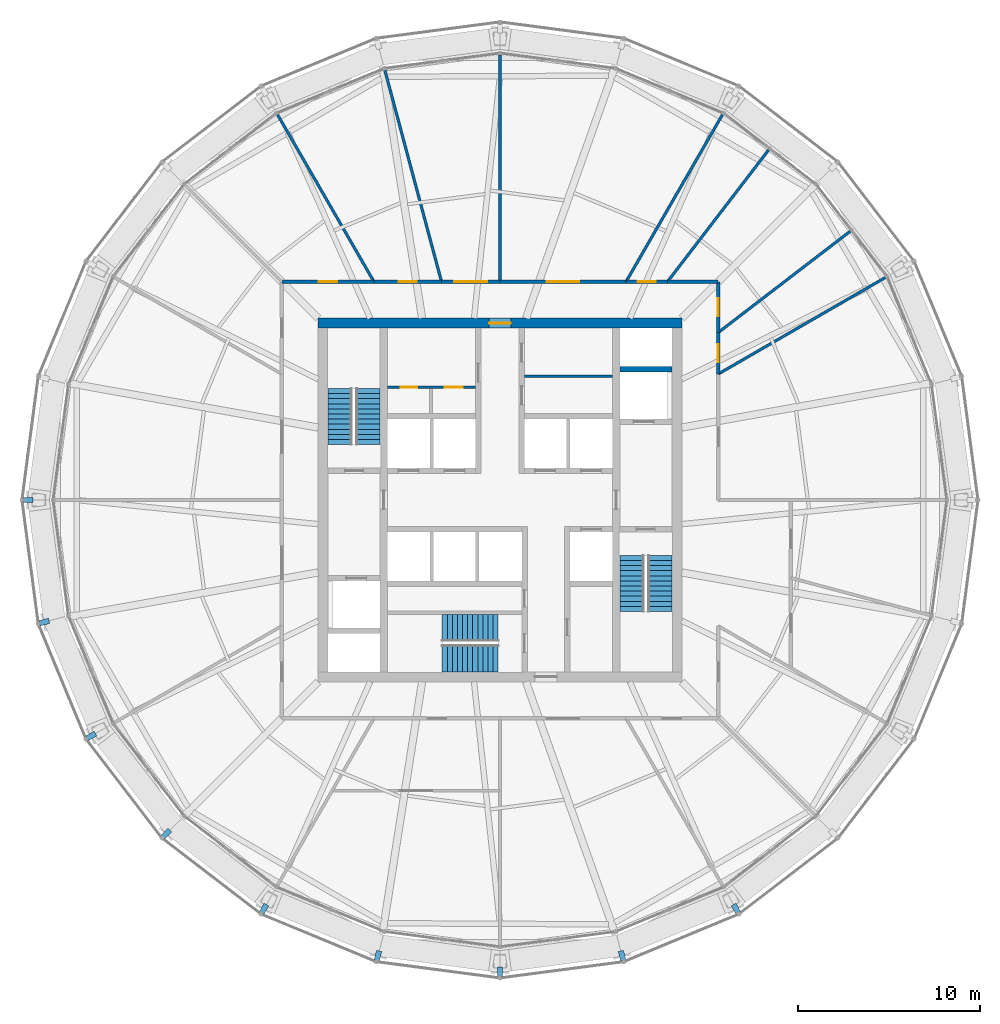
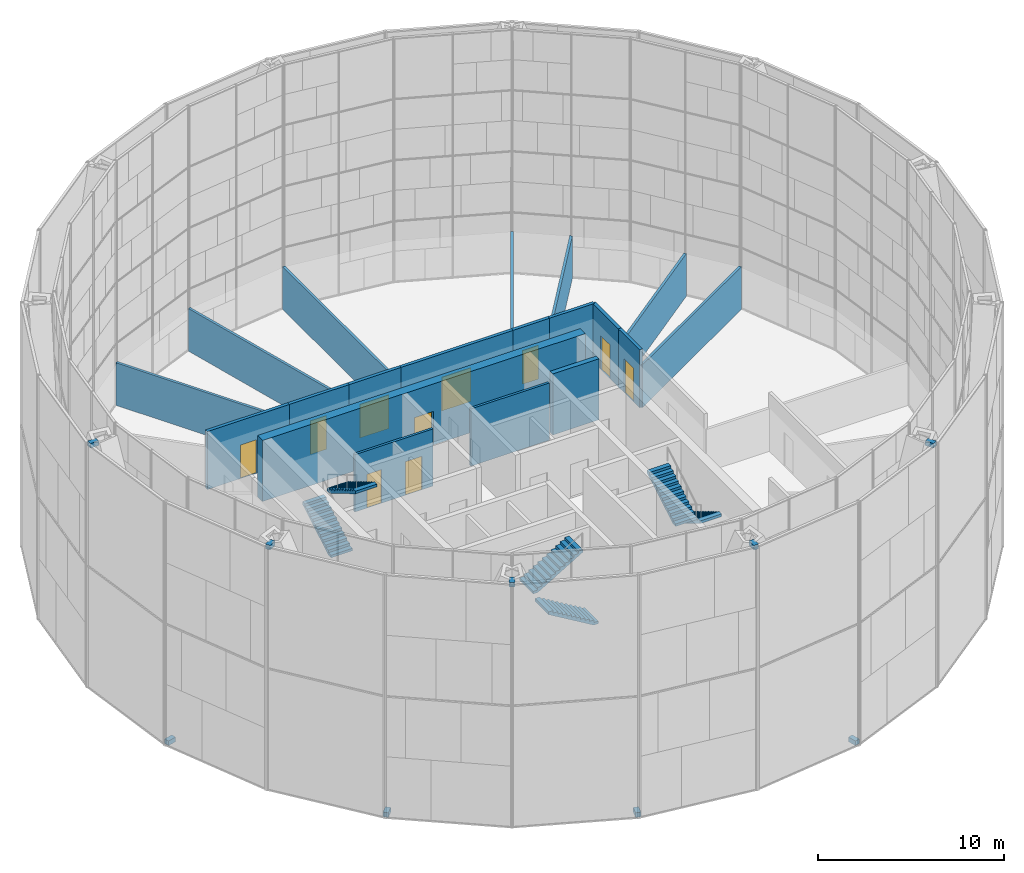
# One storey, part 28 of 30: 19 walls, 10 doors, 9 discrete accessories, 6 stair flights, 10 openings, 3 elements without a shape of their own.
"""IFC4 building model written with IfcOpenShell, lengths in metres."""

from ifc_helpers import new_model, si_unit, direction, frame, frame_2d, origin, origin_2d, place, context, subcontext, project, spatial, polyline, rectangle, outline, extrude, material, layer, layer_set, type_object, element, fill, aggregate, save


model = new_model("IFC4")

# Units and contexts
model_context = context("Model", 3, precision=1e-05, world=origin(), true_north=direction((0.0, 1.0)))
body_context = subcontext(model_context, "Body", "Model", "MODEL_VIEW")
ifc_project = project(units=[si_unit("LENGTHUNIT", "METRE"), si_unit("AREAUNIT", "SQUARE_METRE"), si_unit("VOLUMEUNIT", "CUBIC_METRE"), si_unit("PLANEANGLEUNIT", "RADIAN"), si_unit("MASSUNIT", "GRAM", prefix="KILO")], contexts=[model_context])

# Site, building, storey
site_placement = place(None, origin())
site = spatial("IfcSite", under=ifc_project, at=site_placement, CompositionType="ELEMENT")
building_placement = place(site_placement, origin())
building = spatial("IfcBuilding", under=site, at=building_placement, Name="Golbaran Civic Tower", CompositionType="ELEMENT")
storey_placement = place(building_placement, frame((0.0, 0.0, 102.0)))
storey = spatial("IfcBuildingStorey", under=building, at=storey_placement, Name="L24", CompositionType="ELEMENT", Elevation=102.0)

# Wall
ifc_material_1 = material(Name="Concrete block", Category="concrete")
ifc_layer_1 = layer(ifc_material_1, 0.14990234375, Name="Concrete block")
ifc_layer_set_1 = layer_set([ifc_layer_1], Name="Concrete block")
wall_type_1 = type_object("IfcWallType", Name="BLOCKWORK PARTITION 150", PredefinedType="PARTITIONING", material=ifc_layer_set_1)
wall_1_placement = place(storey_placement, frame((1.35009765625, 6.800048828125, 0.0), z_axis=(0.0, 0.0, 1.0), x_axis=(1.0, 0.0, 0.0)))
element("IfcWall", 1, at=wall_1_placement, inside=storey, type_object=wall_type_1, Name="Toilet block partition TN1 L24", PredefinedType="PARTITIONING", context=body_context, shape_type="SweptSolid", body=[
    extrude(rectangle(XDim=4.849853515625, YDim=0.14990234375, at=frame_2d((2.4248046875, 0.0))), origin(), (0.0, 0.0, 1.0), 3.75),
])

# Wall, opening, door
ifc_material_2 = material(Name="Concrete C50/60", Category="concrete")
ifc_layer_2 = layer(ifc_material_2, 0.550048828125, Name="Concrete C50/60")
ifc_layer_set_2 = layer_set([ifc_layer_2], Name="Concrete C50/60")
wall_type_2 = type_object("IfcWallType", Name="CORE WALL CONCRETE 550", PredefinedType="SOLIDWALL", material=ifc_layer_set_2)
wall_2_placement = place(storey_placement, frame((-10.0, 9.72509765625, 0.0), z_axis=(0.0, 0.0, 1.0), x_axis=(1.0, 0.0, 0.0)))
wall_2 = element("IfcWall", 2, at=wall_2_placement, inside=storey, type_object=wall_type_2, Name="Core wall CN L24", PredefinedType="SOLIDWALL", context=body_context, shape_type="SweptSolid", body=[
    extrude(rectangle(XDim=20.0, YDim=0.550048828125, at=frame_2d((10.0, 0.0))), origin(), (0.0, 0.0, 1.0), 4.0),
])
opening_1_placement = place(wall_2_placement, frame((9.39990234375, 0.0, 0.0)))
opening_1 = element("IfcOpeningElement", 3, at=opening_1_placement, cuts=wall_2, Name="Opening L24.CN", PredefinedType="OPENING", context=body_context, shape_type="SweptSolid", body=[
    extrude(rectangle(XDim=1.199951171875, YDim=2.199951171875, at=frame_2d((0.60009765625, 1.10009765625))), frame((0.0, 0.284912109375, 0.0), z_axis=(0.0, -1.0, 0.0), x_axis=(1.0, 0.0, 0.0)), (0.0, 0.0, 1.0), 0.570068359375),
])
ifc_material_3 = material(Name="Timber door set in steel frame", Category="steel")
door_type_1 = type_object("IfcDoorType", Name="CORE DOOR 1200x2200", OperationType="DOUBLE_DOOR_SINGLE_SWING", PredefinedType="DOOR", material=ifc_material_3)
door_1_placement = place(opening_1_placement, origin())
door_1 = element("IfcDoor", 4, at=door_1_placement, inside=storey, type_object=door_type_1, Name="Core door north", OperationType="DOUBLE_DOOR_SINGLE_SWING", OverallHeight=2.199951171875, OverallWidth=1.199951171875, PredefinedType="DOOR", context=body_context, shape_type="SweptSolid", body=[
    extrude(rectangle(XDim=1.199951171875, YDim=2.199951171875, at=frame_2d((0.60009765625, 1.10009765625))), frame((0.0, 0.02490234375, 0.0), z_axis=(0.0, -1.0, 0.0), x_axis=(1.0, 0.0, 0.0)), (0.0, 0.0, 1.0), 0.050048828125),
])
fill(opening_1, door_1)

ifc_material_4 = material(Name="Gypsum board on steel studs, fire-rated", Category="steel")
ifc_layer_3 = layer(ifc_material_4, 0.199951171875, Name="Gypsum board on steel studs, fire-rated")
ifc_layer_set_3 = layer_set([ifc_layer_3], Name="Gypsum board on steel studs, fire-rated")
wall_type_3 = type_object("IfcWallType", Name="CORRIDOR WALL 200", PredefinedType="PARTITIONING", material=ifc_layer_set_3)
wall_3_placement = place(storey_placement, frame((12.0, 6.92822265625, 0.0), z_axis=(0.0, 0.0, 1.0), x_axis=(0.0, 1.0, 0.0)))
wall_3 = element("IfcWall", 5, at=wall_3_placement, inside=storey, type_object=wall_type_3, Name="Corridor wall L24", PredefinedType="PARTITIONING", context=body_context, shape_type="SweptSolid", body=[
    extrude(rectangle(XDim=2.27978515625, YDim=0.199951171875, at=frame_2d((1.139892578125, 0.0))), origin(), (0.0, 0.0, 1.0), 3.800048828125),
])
opening_2_placement = place(wall_3_placement, frame((0.639892578125, 0.0, 0.0)))
opening_2 = element("IfcOpeningElement", 6, at=opening_2_placement, cuts=wall_3, Name="Opening L24.05", PredefinedType="OPENING", context=body_context, shape_type="SweptSolid", body=[
    extrude(rectangle(XDim=1.0, YDim=2.199951171875, at=frame_2d((0.5, 1.10009765625))), frame((0.0, 0.10986328125, 0.0), z_axis=(0.0, -1.0, 0.0), x_axis=(1.0, 0.0, 0.0)), (0.0, 0.0, 1.0), 0.219970703125),
])
door_type_2 = type_object("IfcDoorType", Name="OFFICE DOOR 1000x2200", OperationType="SINGLE_SWING_LEFT", PredefinedType="DOOR", material=ifc_material_3)
door_2_placement = place(opening_2_placement, origin())
door_2 = element("IfcDoor", 7, at=door_2_placement, inside=storey, type_object=door_type_2, Name="Pantry door L24", OperationType="SINGLE_SWING_LEFT", OverallHeight=2.199951171875, OverallWidth=1.0, PredefinedType="DOOR", context=body_context, shape_type="SweptSolid", body=[
    extrude(rectangle(XDim=1.0, YDim=2.199951171875, at=frame_2d((0.5, 1.10009765625))), frame((0.0, 0.02490234375, 0.0), z_axis=(0.0, -1.0, 0.0), x_axis=(1.0, 0.0, 0.0)), (0.0, 0.0, 1.0), 0.050048828125),
])
fill(opening_2, door_2)

wall_4_placement = place(storey_placement, frame((12.0, 9.2080078125, 0.0), z_axis=(0.0, 0.0, 1.0), x_axis=(0.0, 1.0, 0.0)))
wall_4 = element("IfcWall", 8, at=wall_4_placement, inside=storey, type_object=wall_type_3, Name="Corridor wall L24", PredefinedType="PARTITIONING", context=body_context, shape_type="SweptSolid", body=[
    extrude(rectangle(XDim=2.7919921875, YDim=0.199951171875, at=frame_2d((1.39599609375, 0.0))), origin(), (0.0, 0.0, 1.0), 3.800048828125),
])
opening_3_placement = place(wall_4_placement, frame((0.89599609375, 0.0, 0.0)))
opening_3 = element("IfcOpeningElement", 9, at=opening_3_placement, cuts=wall_4, Name="Opening L24.06", PredefinedType="OPENING", context=body_context, shape_type="SweptSolid", body=[
    extrude(rectangle(XDim=1.0, YDim=2.199951171875, at=frame_2d((0.5, 1.10009765625))), frame((0.0, 0.10986328125, 0.0), z_axis=(0.0, -1.0, 0.0), x_axis=(1.0, 0.0, 0.0)), (0.0, 0.0, 1.0), 0.219970703125),
])
door_3_placement = place(opening_3_placement, origin())
door_3 = element("IfcDoor", 10, at=door_3_placement, inside=storey, type_object=door_type_2, Name="Prayer Room door L24", OperationType="SINGLE_SWING_LEFT", OverallHeight=2.199951171875, OverallWidth=1.0, PredefinedType="DOOR", context=body_context, shape_type="SweptSolid", body=[
    extrude(rectangle(XDim=1.0, YDim=2.199951171875, at=frame_2d((0.5, 1.10009765625))), frame((0.0, 0.02490234375, 0.0), z_axis=(0.0, -1.0, 0.0), x_axis=(1.0, 0.0, 0.0)), (0.0, 0.0, 1.0), 0.050048828125),
])
fill(opening_3, door_3)

# Wall
wall_5_placement = place(storey_placement, frame((12.0, 12.0, 0.0), z_axis=(0.0, 0.0, 1.0), x_axis=(-1.0, 0.0, 0.0)))
element("IfcWall", 11, at=wall_5_placement, inside=storey, type_object=wall_type_3, Name="Corridor wall L24", PredefinedType="PARTITIONING", context=body_context, shape_type="SweptSolid", body=[
    extrude(rectangle(XDim=2.7919921875, YDim=0.199951171875, at=frame_2d((1.39599609375, 0.0))), origin(), (0.0, 0.0, 1.0), 3.800048828125),
])

# Wall, opening, door
wall_6_placement = place(storey_placement, frame((9.2080078125, 12.0, 0.0), z_axis=(0.0, 0.0, 1.0), x_axis=(-1.0, 0.0, 0.0)))
wall_6 = element("IfcWall", 12, at=wall_6_placement, inside=storey, type_object=wall_type_3, Name="Corridor wall L24", PredefinedType="PARTITIONING", context=body_context, shape_type="SweptSolid", body=[
    extrude(rectangle(XDim=2.27978515625, YDim=0.199951171875, at=frame_2d((1.139892578125, 0.0))), origin(), (0.0, 0.0, 1.0), 3.800048828125),
])
opening_4_placement = place(wall_6_placement, frame((0.639892578125, 0.0, 0.0)))
opening_4 = element("IfcOpeningElement", 13, at=opening_4_placement, cuts=wall_6, Name="Opening L24.07", PredefinedType="OPENING", context=body_context, shape_type="SweptSolid", body=[
    extrude(rectangle(XDim=1.0, YDim=2.199951171875, at=frame_2d((0.5, 1.10009765625))), frame((0.0, 0.10986328125, 0.0), z_axis=(0.0, -1.0, 0.0), x_axis=(1.0, 0.0, 0.0)), (0.0, 0.0, 1.0), 0.219970703125),
])
door_4_placement = place(opening_4_placement, origin())
door_4 = element("IfcDoor", 14, at=door_4_placement, inside=storey, type_object=door_type_2, Name="Store door L24", OperationType="SINGLE_SWING_RIGHT", OverallHeight=2.199951171875, OverallWidth=1.0, PredefinedType="DOOR", context=body_context, shape_type="SweptSolid", body=[
    extrude(rectangle(XDim=1.0, YDim=2.199951171875, at=frame_2d((0.5, 1.10009765625))), frame((0.0, 0.02490234375, 0.0), z_axis=(0.0, -1.0, 0.0), x_axis=(1.0, 0.0, 0.0)), (0.0, 0.0, 1.0), 0.050048828125),
])
fill(opening_4, door_4)

wall_7_placement = place(storey_placement, frame((6.92822265625, 12.0, 0.0), z_axis=(0.0, 0.0, 1.0), x_axis=(-1.0, 0.0, 0.0)))
wall_7 = element("IfcWall", 15, at=wall_7_placement, inside=storey, type_object=wall_type_3, Name="Corridor wall L24", PredefinedType="PARTITIONING", context=body_context, shape_type="SweptSolid", body=[
    extrude(rectangle(XDim=6.92822265625, YDim=0.199951171875, at=frame_2d((3.464111328125, 0.0))), origin(), (0.0, 0.0, 1.0), 3.800048828125),
])
opening_5_placement = place(wall_7_placement, frame((2.564208984375, 0.0, 0.0)))
opening_5 = element("IfcOpeningElement", 16, at=opening_5_placement, cuts=wall_7, Name="Opening L24.08", PredefinedType="OPENING", context=body_context, shape_type="SweptSolid", body=[
    extrude(rectangle(XDim=1.800048828125, YDim=2.199951171875, at=frame_2d((0.89990234375, 1.10009765625))), frame((0.0, 0.10986328125, 0.0), z_axis=(0.0, -1.0, 0.0), x_axis=(1.0, 0.0, 0.0)), (0.0, 0.0, 1.0), 0.219970703125),
])
door_type_3 = type_object("IfcDoorType", Name="OFFICE DOUBLE DOOR 1800x2200", OperationType="DOUBLE_DOOR_SINGLE_SWING", PredefinedType="DOOR", material=ifc_material_3)
door_5_placement = place(opening_5_placement, origin())
door_5 = element("IfcDoor", 17, at=door_5_placement, inside=storey, type_object=door_type_3, Name="Open Office door L24", OperationType="DOUBLE_DOOR_SINGLE_SWING", OverallHeight=2.199951171875, OverallWidth=1.800048828125, PredefinedType="DOOR", context=body_context, shape_type="SweptSolid", body=[
    extrude(rectangle(XDim=1.800048828125, YDim=2.199951171875, at=frame_2d((0.89990234375, 1.10009765625))), frame((0.0, 0.02490234375, 0.0), z_axis=(0.0, -1.0, 0.0), x_axis=(1.0, 0.0, 0.0)), (0.0, 0.0, 1.0), 0.050048828125),
])
fill(opening_5, door_5)

wall_8_placement = place(storey_placement, frame((0.0, 12.0, 0.0), z_axis=(0.0, 0.0, 1.0), x_axis=(-1.0, 0.0, 0.0)))
wall_8 = element("IfcWall", 18, at=wall_8_placement, inside=storey, type_object=wall_type_3, Name="Corridor wall L24", PredefinedType="PARTITIONING", context=body_context, shape_type="SweptSolid", body=[
    extrude(rectangle(XDim=3.21533203125, YDim=0.199951171875, at=frame_2d((1.607666015625, 0.0))), origin(), (0.0, 0.0, 1.0), 3.800048828125),
])
opening_6_placement = place(wall_8_placement, frame((0.707763671875, 0.0, 0.0)))
opening_6 = element("IfcOpeningElement", 19, at=opening_6_placement, cuts=wall_8, Name="Opening L24.09", PredefinedType="OPENING", context=body_context, shape_type="SweptSolid", body=[
    extrude(rectangle(XDim=1.800048828125, YDim=2.199951171875, at=frame_2d((0.89990234375, 1.10009765625))), frame((0.0, 0.10986328125, 0.0), z_axis=(0.0, -1.0, 0.0), x_axis=(1.0, 0.0, 0.0)), (0.0, 0.0, 1.0), 0.219970703125),
])
door_6_placement = place(opening_6_placement, origin())
door_6 = element("IfcDoor", 20, at=door_6_placement, inside=storey, type_object=door_type_3, Name="Open Office door L24", OperationType="DOUBLE_DOOR_SINGLE_SWING", OverallHeight=2.199951171875, OverallWidth=1.800048828125, PredefinedType="DOOR", context=body_context, shape_type="SweptSolid", body=[
    extrude(rectangle(XDim=1.800048828125, YDim=2.199951171875, at=frame_2d((0.89990234375, 1.10009765625))), frame((0.0, 0.02490234375, 0.0), z_axis=(0.0, -1.0, 0.0), x_axis=(1.0, 0.0, 0.0)), (0.0, 0.0, 1.0), 0.050048828125),
])
fill(opening_6, door_6)

wall_9_placement = place(storey_placement, frame((-3.21533203125, 12.0, 0.0), z_axis=(0.0, 0.0, 1.0), x_axis=(-1.0, 0.0, 0.0)))
wall_9 = element("IfcWall", 21, at=wall_9_placement, inside=storey, type_object=wall_type_3, Name="Corridor wall L24", PredefinedType="PARTITIONING", context=body_context, shape_type="SweptSolid", body=[
    extrude(rectangle(XDim=3.712890625, YDim=0.199951171875, at=frame_2d((1.8564453125, 0.0))), origin(), (0.0, 0.0, 1.0), 3.800048828125),
])
opening_7_placement = place(wall_9_placement, frame((1.3564453125, 0.0, 0.0)))
opening_7 = element("IfcOpeningElement", 22, at=opening_7_placement, cuts=wall_9, Name="Opening L24.10", PredefinedType="OPENING", context=body_context, shape_type="SweptSolid", body=[
    extrude(rectangle(XDim=1.0, YDim=2.199951171875, at=frame_2d((0.5, 1.10009765625))), frame((0.0, 0.10986328125, 0.0), z_axis=(0.0, -1.0, 0.0), x_axis=(1.0, 0.0, 0.0)), (0.0, 0.0, 1.0), 0.219970703125),
])
door_7_placement = place(opening_7_placement, origin())
door_7 = element("IfcDoor", 23, at=door_7_placement, inside=storey, type_object=door_type_2, Name="Project Room door L24", OperationType="SINGLE_SWING_RIGHT", OverallHeight=2.199951171875, OverallWidth=1.0, PredefinedType="DOOR", context=body_context, shape_type="SweptSolid", body=[
    extrude(rectangle(XDim=1.0, YDim=2.199951171875, at=frame_2d((0.5, 1.10009765625))), frame((0.0, 0.02490234375, 0.0), z_axis=(0.0, -1.0, 0.0), x_axis=(1.0, 0.0, 0.0)), (0.0, 0.0, 1.0), 0.050048828125),
])
fill(opening_7, door_7)

wall_10_placement = place(storey_placement, frame((-6.92822265625, 12.0, 0.0), z_axis=(0.0, 0.0, 1.0), x_axis=(-1.0, 0.0, 0.0)))
wall_10 = element("IfcWall", 24, at=wall_10_placement, inside=storey, type_object=wall_type_3, Name="Corridor wall L24", PredefinedType="PARTITIONING", context=body_context, shape_type="SweptSolid", body=[
    extrude(rectangle(XDim=5.07177734375, YDim=0.199951171875, at=frame_2d((2.535888671875, 0.0))), origin(), (0.0, 0.0, 1.0), 3.800048828125),
])
opening_8_placement = place(wall_10_placement, frame((2.035888671875, 0.0, 0.0)))
opening_8 = element("IfcOpeningElement", 25, at=opening_8_placement, cuts=wall_10, Name="Opening L24.11", PredefinedType="OPENING", context=body_context, shape_type="SweptSolid", body=[
    extrude(rectangle(XDim=1.0, YDim=2.199951171875, at=frame_2d((0.5, 1.10009765625))), frame((0.0, 0.10986328125, 0.0), z_axis=(0.0, -1.0, 0.0), x_axis=(1.0, 0.0, 0.0)), (0.0, 0.0, 1.0), 0.219970703125),
])
door_8_placement = place(opening_8_placement, origin())
door_8 = element("IfcDoor", 26, at=door_8_placement, inside=storey, type_object=door_type_2, Name="Print and Copy Room door L24", OperationType="SINGLE_SWING_RIGHT", OverallHeight=2.199951171875, OverallWidth=1.0, PredefinedType="DOOR", context=body_context, shape_type="SweptSolid", body=[
    extrude(rectangle(XDim=1.0, YDim=2.199951171875, at=frame_2d((0.5, 1.10009765625))), frame((0.0, 0.02490234375, 0.0), z_axis=(0.0, -1.0, 0.0), x_axis=(1.0, 0.0, 0.0)), (0.0, 0.0, 1.0), 0.050048828125),
])
fill(opening_8, door_8)

# Walls
ifc_material_5 = material(Name="Gypsum board on steel studs", Category="steel")
ifc_layer_4 = layer(ifc_material_5, 0.14990234375, Name="Gypsum board on steel studs")
ifc_layer_set_4 = layer_set([ifc_layer_4], Name="Gypsum board on steel studs")
wall_type_4 = type_object("IfcWallType", Name="OFFICE PARTITION 150", PredefinedType="PARTITIONING", material=ifc_layer_set_4)
wall_11_placement = place(storey_placement, frame((12.0, 6.92822265625, 0.0), z_axis=(0.0, 0.0, 1.0), x_axis=(0.866024197053, 0.500002090115, 0.0)))
element("IfcWall", 27, at=wall_11_placement, inside=storey, type_object=wall_type_4, Name="Partition 30 L24", PredefinedType="PARTITIONING", context=body_context, shape_type="SweptSolid", body=[
    extrude(rectangle(XDim=10.630859375, YDim=0.14990234375, at=frame_2d((5.3154296875, 0.0))), origin(), (0.0, 0.0, 1.0), 2.7900390625),
])
for number, where, z_axis, x_axis, name in (
    (28, (12.0, 9.2080078125, 0.0), (0.0, 0.0, 1.0), (0.793357264949, 0.608756314261, 0.0), "Partition 37.5 L24"),
    (29, (9.2080078125, 12.0, 0.0), (0.0, 0.0, 1.0), (0.608756314261, 0.793357264949, 0.0), "Partition 52.5 L24"),
):
    element("IfcWall", number, at=place(storey_placement, frame(where, z_axis=z_axis, x_axis=x_axis)), inside=storey, type_object=wall_type_4, Name=name, PredefinedType="PARTITIONING", context=body_context, shape_type="SweptSolid", body=[
        extrude(rectangle(XDim=9.15185546875, YDim=0.14990234375, at=frame_2d((4.575927734375, 0.0))), origin(), (0.0, 0.0, 1.0), 2.7900390625),
    ])
wall_12_placement = place(storey_placement, frame((6.92822265625, 12.0, 0.0), z_axis=(0.0, 0.0, 1.0), x_axis=(0.500002090115, 0.866024197053, 0.0)))
element("IfcWall", 30, at=wall_12_placement, inside=storey, type_object=wall_type_4, Name="Partition 60 L24", PredefinedType="PARTITIONING", context=body_context, shape_type="SweptSolid", body=[
    extrude(rectangle(XDim=10.630859375, YDim=0.14990234375, at=frame_2d((5.3154296875, 0.0))), origin(), (0.0, 0.0, 1.0), 2.7900390625),
])
wall_13_placement = place(storey_placement, frame((0.0, 12.0, 0.0), z_axis=(0.0, 0.0, 1.0), x_axis=(0.0, 1.0, 0.0)))
element("IfcWall", 31, at=wall_13_placement, inside=storey, type_object=wall_type_4, Name="Partition 90 L24", PredefinedType="PARTITIONING", context=body_context, shape_type="SweptSolid", body=[
    extrude(rectangle(XDim=12.4873046875, YDim=0.14990234375, at=frame_2d((6.24365234375, 0.0))), origin(), (0.0, 0.0, 1.0), 2.7900390625),
])
wall_14_placement = place(storey_placement, frame((-3.21533203125, 12.0, 0.0), z_axis=(0.0, 0.0, 1.0), x_axis=(-0.258814986396, 0.965926913807, 0.0)))
element("IfcWall", 32, at=wall_14_placement, inside=storey, type_object=wall_type_4, Name="Partition 105 L24", PredefinedType="PARTITIONING", context=body_context, shape_type="SweptSolid", body=[
    extrude(rectangle(XDim=12.06396484375, YDim=0.14990234375, at=frame_2d((6.031982421875, 0.0))), origin(), (0.0, 0.0, 1.0), 2.7900390625),
])
wall_15_placement = place(storey_placement, frame((-6.92822265625, 12.0, 0.0), z_axis=(0.0, 0.0, 1.0), x_axis=(-0.500002090115, 0.866024197053, 0.0)))
element("IfcWall", 33, at=wall_15_placement, inside=storey, type_object=wall_type_4, Name="Partition 120 L24", PredefinedType="PARTITIONING", context=body_context, shape_type="SweptSolid", body=[
    extrude(rectangle(XDim=10.630859375, YDim=0.14990234375, at=frame_2d((5.3154296875, 0.0))), origin(), (0.0, 0.0, 1.0), 2.7900390625),
])
ifc_layer_5 = layer(ifc_material_2, 0.300048828125, Name="Concrete C50/60")
ifc_layer_set_5 = layer_set([ifc_layer_5], Name="Concrete C50/60")
wall_type_5 = type_object("IfcWallType", Name="SHAFT WALL CONCRETE 300", PredefinedType="SOLIDWALL", material=ifc_layer_set_5)
wall_16_placement = place(storey_placement, frame((6.60009765625, 7.199951171875, 0.0), z_axis=(0.0, 0.0, 1.0), x_axis=(1.0, 0.0, 0.0)))
element("IfcWall", 34, at=wall_16_placement, inside=storey, type_object=wall_type_5, Name="Core wall XE3 L24", PredefinedType="SOLIDWALL", context=body_context, shape_type="SweptSolid", body=[
    extrude(rectangle(XDim=2.849853515625, YDim=0.300048828125, at=frame_2d((1.4248046875, 0.0))), origin(), (0.0, 0.0, 1.0), 4.0),
])

# Wall, openings, doors
ifc_material_6 = material(Name="Moisture-resistant gypsum board on steel studs", Category="steel")
ifc_layer_6 = layer(ifc_material_6, 0.14990234375, Name="Moisture-resistant gypsum board on steel studs")
ifc_layer_set_6 = layer_set([ifc_layer_6], Name="Moisture-resistant gypsum board on steel studs")
wall_type_6 = type_object("IfcWallType", Name="TOILET BLOCK PARTITION 150", PredefinedType="PARTITIONING", material=ifc_layer_set_6)
wall_17_placement = place(storey_placement, frame((-6.199951171875, 6.199951171875, 0.0), z_axis=(0.0, 0.0, 1.0), x_axis=(1.0, 0.0, 0.0)))
wall_17 = element("IfcWall", 35, at=wall_17_placement, inside=storey, type_object=wall_type_6, Name="Toilet block partition MSH L24", PredefinedType="PARTITIONING", context=body_context, shape_type="SweptSolid", body=[
    extrude(rectangle(XDim=4.849853515625, YDim=0.14990234375, at=frame_2d((2.4248046875, 0.0))), origin(), (0.0, 0.0, 1.0), 3.75),
])
opening_9_placement = place(wall_17_placement, frame((3.14990234375, 0.0, 0.0)))
opening_9 = element("IfcOpeningElement", 36, at=opening_9_placement, cuts=wall_17, Name="Opening L24.20", PredefinedType="OPENING", context=body_context, shape_type="SweptSolid", body=[
    extrude(rectangle(XDim=1.0, YDim=2.199951171875, at=frame_2d((0.5, 1.10009765625))), frame((0.0, 0.0849609375, 0.0), z_axis=(0.0, -1.0, 0.0), x_axis=(1.0, 0.0, 0.0)), (0.0, 0.0, 1.0), 0.169921875),
])
opening_10_placement = place(wall_17_placement, frame((0.75, 0.0, 0.0)))
opening_10 = element("IfcOpeningElement", 37, at=opening_10_placement, cuts=wall_17, Name="Opening L24.21", PredefinedType="OPENING", context=body_context, shape_type="SweptSolid", body=[
    extrude(rectangle(XDim=0.89990234375, YDim=2.199951171875, at=frame_2d((0.449951171875, 1.10009765625))), frame((0.0, 0.0849609375, 0.0), z_axis=(0.0, -1.0, 0.0), x_axis=(1.0, 0.0, 0.0)), (0.0, 0.0, 1.0), 0.169921875),
])
door_type_4 = type_object("IfcDoorType", Name="RISER DOOR 900x2200", OperationType="SINGLE_SWING_LEFT", PredefinedType="DOOR", material=ifc_material_3)
door_9_placement = place(opening_10_placement, origin())
door_9 = element("IfcDoor", 38, at=door_9_placement, inside=storey, type_object=door_type_4, Name="Cleaner's store door", OperationType="SINGLE_SWING_LEFT", OverallHeight=2.199951171875, OverallWidth=0.89990234375, PredefinedType="DOOR", context=body_context, shape_type="SweptSolid", body=[
    extrude(rectangle(XDim=0.89990234375, YDim=2.199951171875, at=frame_2d((0.449951171875, 1.10009765625))), frame((0.0, 0.02490234375, 0.0), z_axis=(0.0, -1.0, 0.0), x_axis=(1.0, 0.0, 0.0)), (0.0, 0.0, 1.0), 0.050048828125),
])
fill(opening_10, door_9)
door_type_5 = type_object("IfcDoorType", Name="TOILET DOOR 1000x2200", OperationType="SINGLE_SWING_LEFT", PredefinedType="DOOR", material=ifc_material_3)
door_10_placement = place(opening_9_placement, origin())
door_10 = element("IfcDoor", 39, at=door_10_placement, inside=storey, type_object=door_type_5, Name="Male shower room door", OperationType="SINGLE_SWING_RIGHT", OverallHeight=2.199951171875, OverallWidth=1.0, PredefinedType="DOOR", context=body_context, shape_type="SweptSolid", body=[
    extrude(rectangle(XDim=1.0, YDim=2.199951171875, at=frame_2d((0.5, 1.10009765625))), frame((0.0, 0.02490234375, 0.0), z_axis=(0.0, -1.0, 0.0), x_axis=(1.0, 0.0, 0.0)), (0.0, 0.0, 1.0), 0.050048828125),
])
fill(opening_9, door_10)

# Stair, stair flights
ifc_material_7 = material(Name="Concrete C35/45", Category="concrete")
stair_type_1 = type_object("IfcStairType", Name="EXIT STAIR 2850 x 7700, 4000 RISE", PredefinedType="HALF_TURN_STAIR", material=ifc_material_7)
stair_1_placement = place(storey_placement, origin())
stair_1 = element("IfcStair", 40, at=stair_1_placement, inside=storey, type_object=stair_type_1, Name="Stair S1 L24", PredefinedType="HALF_TURN_STAIR")
stair_flight_type_1 = type_object("IfcStairFlightType", Name="STAIR FLIGHT 1325 WIDE", PredefinedType="STRAIGHT", material=ifc_material_7)
stair_flight_1_placement = place(storey_placement, frame((-8.78759765625, 3.050048828125, 0.0), z_axis=(0.0, 0.0, 1.0), x_axis=(0.0, 1.0, 0.0)))
stair_flight_1 = element("IfcStairFlight", 41, at=stair_flight_1_placement, type_object=stair_flight_type_1, Name="ST28577-40 flight 1", NumberOfRisers=12, NumberOfTreads=11, PredefinedType="STRAIGHT", RiserHeight=0.166666667, TreadLength=0.28, context=body_context, shape_type="SweptSolid", body=[
    extrude(outline(polyline([(0.0, 0.0), (0.0, 0.166748046875), (0.280029296875, 0.166748046875), (0.280029296875, 0.333251953125), (0.56005859375, 0.333251953125), (0.56005859375, 0.5), (0.840087890625, 0.5), (0.840087890625, 0.666748046875), (1.1201171875, 0.666748046875), (1.1201171875, 0.833251953125), (1.39990234375, 0.833251953125), (1.39990234375, 1.0), (1.679931640625, 1.0), (1.679931640625, 1.166748046875), (1.9599609375, 1.166748046875), (1.9599609375, 1.333251953125), (2.239990234375, 1.333251953125), (2.239990234375, 1.5), (2.52001953125, 1.5), (2.52001953125, 1.666748046875), (2.800048828125, 1.666748046875), (2.800048828125, 1.833251953125), (3.080078125, 1.833251953125), (3.080078125, 2.0), (3.080078125, 1.658935546875), (0.29296875, 0.0), (0.0, 0.0)])), frame((0.0, 0.66259765625, 0.0), z_axis=(0.0, -1.0, 0.0), x_axis=(1.0, 0.0, 0.0)), (0.0, 0.0, 1.0), 1.324951171875),
])
stair_flight_2_placement = place(storey_placement, frame((-7.262451171875, 6.1298828125, 2.0), z_axis=(0.0, 0.0, 1.0), x_axis=(0.0, -1.0, 0.0)))
stair_flight_2 = element("IfcStairFlight", 42, at=stair_flight_2_placement, type_object=stair_flight_type_1, Name="ST28577-40 flight 2", NumberOfRisers=12, NumberOfTreads=11, PredefinedType="STRAIGHT", RiserHeight=0.166666667, TreadLength=0.28, context=body_context, shape_type="SweptSolid", body=[
    extrude(outline(polyline([(0.0, 0.0), (0.0, 0.166748046875), (0.280029296875, 0.166748046875), (0.280029296875, 0.333251953125), (0.56005859375, 0.333251953125), (0.56005859375, 0.5), (0.840087890625, 0.5), (0.840087890625, 0.666748046875), (1.1201171875, 0.666748046875), (1.1201171875, 0.833251953125), (1.39990234375, 0.833251953125), (1.39990234375, 1.0), (1.679931640625, 1.0), (1.679931640625, 1.166748046875), (1.9599609375, 1.166748046875), (1.9599609375, 1.333251953125), (2.239990234375, 1.333251953125), (2.239990234375, 1.5), (2.52001953125, 1.5), (2.52001953125, 1.666748046875), (2.800048828125, 1.666748046875), (2.800048828125, 1.833251953125), (3.080078125, 1.833251953125), (3.080078125, 2.0), (3.080078125, 1.658935546875), (0.29296875, 0.0), (0.0, 0.0)])), frame((0.0, 0.66259765625, 0.0), z_axis=(0.0, -1.0, 0.0), x_axis=(1.0, 0.0, 0.0)), (0.0, 0.0, 1.0), 1.324951171875),
])
aggregate(stair_1, [stair_flight_1, stair_flight_2])

stair_2_placement = place(storey_placement, origin())
stair_2 = element("IfcStair", 43, at=stair_2_placement, inside=storey, type_object=stair_type_1, Name="Stair S2 L24", PredefinedType="HALF_TURN_STAIR")
stair_flight_3_placement = place(storey_placement, frame((8.78759765625, -3.050048828125, 0.0), z_axis=(0.0, 0.0, 1.0), x_axis=(0.0, -1.0, 0.0)))
stair_flight_3 = element("IfcStairFlight", 44, at=stair_flight_3_placement, type_object=stair_flight_type_1, Name="ST28577-40 flight 1", NumberOfRisers=12, NumberOfTreads=11, PredefinedType="STRAIGHT", RiserHeight=0.166666667, TreadLength=0.28, context=body_context, shape_type="SweptSolid", body=[
    extrude(outline(polyline([(0.0, 0.0), (0.0, 0.166748046875), (0.280029296875, 0.166748046875), (0.280029296875, 0.333251953125), (0.56005859375, 0.333251953125), (0.56005859375, 0.5), (0.840087890625, 0.5), (0.840087890625, 0.666748046875), (1.1201171875, 0.666748046875), (1.1201171875, 0.833251953125), (1.39990234375, 0.833251953125), (1.39990234375, 1.0), (1.679931640625, 1.0), (1.679931640625, 1.166748046875), (1.9599609375, 1.166748046875), (1.9599609375, 1.333251953125), (2.239990234375, 1.333251953125), (2.239990234375, 1.5), (2.52001953125, 1.5), (2.52001953125, 1.666748046875), (2.800048828125, 1.666748046875), (2.800048828125, 1.833251953125), (3.080078125, 1.833251953125), (3.080078125, 2.0), (3.080078125, 1.658935546875), (0.29296875, 0.0), (0.0, 0.0)])), frame((0.0, 0.66259765625, 0.0), z_axis=(0.0, -1.0, 0.0), x_axis=(1.0, 0.0, 0.0)), (0.0, 0.0, 1.0), 1.324951171875),
])
stair_flight_4_placement = place(storey_placement, frame((7.262451171875, -6.1298828125, 2.0), z_axis=(0.0, 0.0, 1.0), x_axis=(0.0, 1.0, 0.0)))
stair_flight_4 = element("IfcStairFlight", 45, at=stair_flight_4_placement, type_object=stair_flight_type_1, Name="ST28577-40 flight 2", NumberOfRisers=12, NumberOfTreads=11, PredefinedType="STRAIGHT", RiserHeight=0.166666667, TreadLength=0.28, context=body_context, shape_type="SweptSolid", body=[
    extrude(outline(polyline([(0.0, 0.0), (0.0, 0.166748046875), (0.280029296875, 0.166748046875), (0.280029296875, 0.333251953125), (0.56005859375, 0.333251953125), (0.56005859375, 0.5), (0.840087890625, 0.5), (0.840087890625, 0.666748046875), (1.1201171875, 0.666748046875), (1.1201171875, 0.833251953125), (1.39990234375, 0.833251953125), (1.39990234375, 1.0), (1.679931640625, 1.0), (1.679931640625, 1.166748046875), (1.9599609375, 1.166748046875), (1.9599609375, 1.333251953125), (2.239990234375, 1.333251953125), (2.239990234375, 1.5), (2.52001953125, 1.5), (2.52001953125, 1.666748046875), (2.800048828125, 1.666748046875), (2.800048828125, 1.833251953125), (3.080078125, 1.833251953125), (3.080078125, 2.0), (3.080078125, 1.658935546875), (0.29296875, 0.0), (0.0, 0.0)])), frame((0.0, 0.66259765625, 0.0), z_axis=(0.0, -1.0, 0.0), x_axis=(1.0, 0.0, 0.0)), (0.0, 0.0, 1.0), 1.324951171875),
])
aggregate(stair_2, [stair_flight_3, stair_flight_4])

stair_type_2 = type_object("IfcStairType", Name="EXIT STAIR 3150 x 7400, 4000 RISE", PredefinedType="HALF_TURN_STAIR", material=ifc_material_7)
stair_3_placement = place(storey_placement, origin())
stair_3 = element("IfcStair", 46, at=stair_3_placement, inside=storey, type_object=stair_type_2, Name="Stair S3 L24", PredefinedType="HALF_TURN_STAIR")
stair_flight_type_2 = type_object("IfcStairFlightType", Name="STAIR FLIGHT 1475 WIDE", PredefinedType="STRAIGHT", material=ifc_material_7)
stair_flight_5_placement = place(storey_placement, frame((-0.10009765625, -8.71240234375, 0.0), z_axis=(0.0, 0.0, 1.0), x_axis=(-1.0, 0.0, 0.0)))
stair_flight_5 = element("IfcStairFlight", 47, at=stair_flight_5_placement, type_object=stair_flight_type_2, Name="ST31574-40 flight 1", NumberOfRisers=12, NumberOfTreads=11, PredefinedType="STRAIGHT", RiserHeight=0.166666667, TreadLength=0.28, context=body_context, shape_type="SweptSolid", body=[
    extrude(outline(polyline([(0.0, 0.0), (0.0, 0.166748046875), (0.280029296875, 0.166748046875), (0.280029296875, 0.333251953125), (0.56005859375, 0.333251953125), (0.56005859375, 0.5), (0.840087890625, 0.5), (0.840087890625, 0.666748046875), (1.1201171875, 0.666748046875), (1.1201171875, 0.833251953125), (1.39990234375, 0.833251953125), (1.39990234375, 1.0), (1.679931640625, 1.0), (1.679931640625, 1.166748046875), (1.9599609375, 1.166748046875), (1.9599609375, 1.333251953125), (2.239990234375, 1.333251953125), (2.239990234375, 1.5), (2.52001953125, 1.5), (2.52001953125, 1.666748046875), (2.800048828125, 1.666748046875), (2.800048828125, 1.833251953125), (3.080078125, 1.833251953125), (3.080078125, 2.0), (3.080078125, 1.658935546875), (0.29296875, 0.0), (0.0, 0.0)])), frame((0.0, 0.737548828125, 0.0), z_axis=(0.0, -1.0, 0.0), x_axis=(1.0, 0.0, 0.0)), (0.0, 0.0, 1.0), 1.47509765625),
])
stair_flight_6_placement = place(storey_placement, frame((-3.179931640625, -7.03759765625, 2.0), z_axis=(0.0, 0.0, 1.0), x_axis=(1.0, 0.0, 0.0)))
stair_flight_6 = element("IfcStairFlight", 48, at=stair_flight_6_placement, type_object=stair_flight_type_2, Name="ST31574-40 flight 2", NumberOfRisers=12, NumberOfTreads=11, PredefinedType="STRAIGHT", RiserHeight=0.166666667, TreadLength=0.28, context=body_context, shape_type="SweptSolid", body=[
    extrude(outline(polyline([(0.0, 0.0), (0.0, 0.166748046875), (0.280029296875, 0.166748046875), (0.280029296875, 0.333251953125), (0.56005859375, 0.333251953125), (0.56005859375, 0.5), (0.840087890625, 0.5), (0.840087890625, 0.666748046875), (1.1201171875, 0.666748046875), (1.1201171875, 0.833251953125), (1.39990234375, 0.833251953125), (1.39990234375, 1.0), (1.679931640625, 1.0), (1.679931640625, 1.166748046875), (1.9599609375, 1.166748046875), (1.9599609375, 1.333251953125), (2.239990234375, 1.333251953125), (2.239990234375, 1.5), (2.52001953125, 1.5), (2.52001953125, 1.666748046875), (2.800048828125, 1.666748046875), (2.800048828125, 1.833251953125), (3.080078125, 1.833251953125), (3.080078125, 2.0), (3.080078125, 1.658935546875), (0.29296875, 0.0), (0.0, 0.0)])), frame((0.0, 0.737548828125, 0.0), z_axis=(0.0, -1.0, 0.0), x_axis=(1.0, 0.0, 0.0)), (0.0, 0.0, 1.0), 1.47509765625),
])
aggregate(stair_3, [stair_flight_5, stair_flight_6])

# Discrete accessories
ifc_material_8 = material(Name="Steel S355", Category="steel")
discrete_accessory_type = type_object("IfcDiscreteAccessoryType", Name="OUTER SKIN BRACKET", PredefinedType="BRACKET", material=ifc_material_8)
for number, where, z_axis, x_axis, name in (
    (49, (-25.06298828125, -6.715576171875, -0.7099609375), (0.0, 0.0, 1.0), (-0.965925826289, -0.258819045103, 0.0), "Outer skin bracket L24 node 7"),
    (50, (-18.347412109375, -18.347412109375, -0.7099609375), (0.0, 0.0, 1.0), (-0.707106781187, -0.707106781187, 0.0), "Outer skin bracket L24 node 8"),
    (51, (-6.715576171875, -25.06298828125, -0.7099609375), (0.0, 0.0, 1.0), (-0.258819045103, -0.965925826289, 0.0), "Outer skin bracket L24 node 9"),
    (52, (6.715576171875, -25.06298828125, -0.7099609375), (0.0, 0.0, 1.0), (0.258819045103, -0.965925826289, 0.0), "Outer skin bracket L24 node 10"),
):
    element("IfcDiscreteAccessory", number, at=place(storey_placement, frame(where, z_axis=z_axis, x_axis=x_axis)), inside=storey, type_object=discrete_accessory_type, Name=name, PredefinedType="BRACKET", context=body_context, shape_type="SweptSolid", body=[
        extrude(rectangle(XDim=0.531982421875, YDim=0.300048828125, at=origin_2d()), origin(), (0.0, 0.0, 1.0), 0.300048828125),
    ])
for number, where, z_axis, x_axis, name in (
    (53, (-25.952880859375, 0.0, 14.98974609375), (0.0, 0.0, 1.0), (-1.0, 0.0, 0.0), "Outer skin head bracket L24 node 7"),
    (54, (-22.47607421875, -12.9765625, 14.98974609375), (0.0, 0.0, 1.0), (-0.866025403784, -0.5, 0.0), "Outer skin head bracket L24 node 8"),
    (55, (-12.9765625, -22.47607421875, 14.98974609375), (0.0, 0.0, 1.0), (-0.5, -0.866025403784, 0.0), "Outer skin head bracket L24 node 9"),
    (56, (0.0, -25.952880859375, 14.98974609375), (0.0, 0.0, 1.0), (0.0, -1.0, 0.0), "Outer skin head bracket L24 node 10"),
    (57, (12.9765625, -22.47607421875, 14.98974609375), (0.0, 0.0, 1.0), (0.5, -0.866025403784, 0.0), "Outer skin head bracket L24 node 11"),
):
    element("IfcDiscreteAccessory", number, at=place(storey_placement, frame(where, z_axis=z_axis, x_axis=x_axis)), inside=storey, type_object=discrete_accessory_type, Name=name, PredefinedType="BRACKET", context=body_context, shape_type="SweptSolid", body=[
        extrude(rectangle(XDim=0.52001953125, YDim=0.300048828125, at=origin_2d()), origin(), (0.0, 0.0, 1.0), 0.300048828125),
    ])

save(model, "model.ifc")
